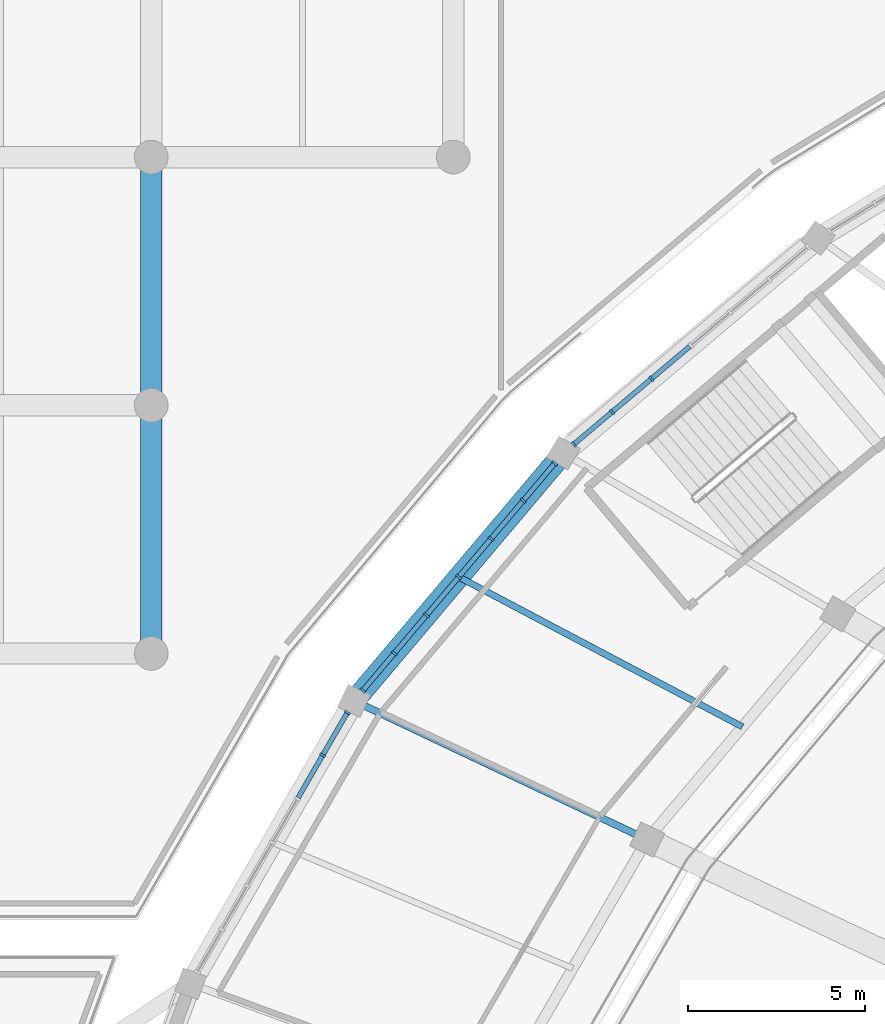
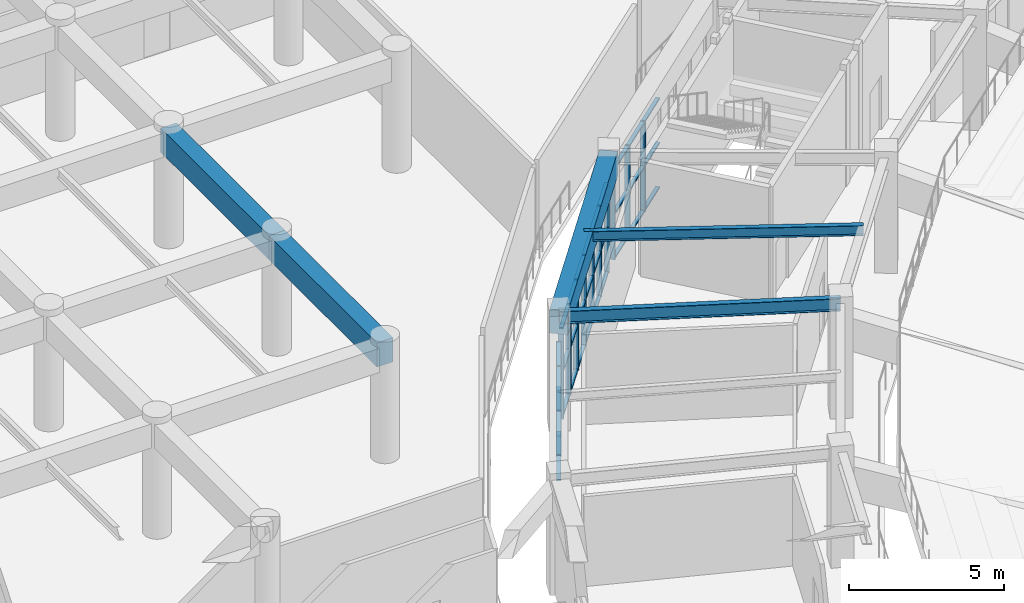
# One storey, part 52 of 137: 45 members, 5 beams, 3 elements without a shape of their own.
"""IFC4 building model written with IfcOpenShell, lengths in metres."""

from ifc_helpers import new_model, si_unit, direction, frame, origin, origin_2d, place, context, subcontext, project, spatial, rectangle, i_section, extrude, material, layer, layer_set, material_profile, profile_set, type_object, element, aggregate, save


model = new_model("IFC4")

# Units and contexts
model_context = context("Model", 3, precision=1e-05, world=origin(), true_north=direction((0.0, 1.0)))
body_context = subcontext(model_context, "Body", "Model", "MODEL_VIEW")
ifc_project = project(units=[si_unit("LENGTHUNIT", "METRE"), si_unit("AREAUNIT", "SQUARE_METRE"), si_unit("VOLUMEUNIT", "CUBIC_METRE"), si_unit("PLANEANGLEUNIT", "RADIAN"), si_unit("MASSUNIT", "GRAM", prefix="KILO")], contexts=[model_context])

# Site, building, storey
site_placement = place(None, origin())
site = spatial("IfcSite", under=ifc_project, at=site_placement, CompositionType="ELEMENT")
building_placement = place(site_placement, origin())
building = spatial("IfcBuilding", under=site, at=building_placement, Name="Mphavela Belvedere Stadium", CompositionType="ELEMENT")
storey_placement = place(building_placement, frame((0.0, 0.0, 19.199951171875)))
storey = spatial("IfcBuildingStorey", under=building, at=storey_placement, Name="L04", CompositionType="ELEMENT", Elevation=19.199951171875)

# Beams
ifc_material_1 = material(Name="Concrete C40/50", Category="concrete")
ifc_material_profile_1 = material_profile(ifc_material_1, rectangle(XDim=0.60009765625, YDim=0.949951171875, at=origin_2d()), Name="RC 600x950")
ifc_profile_set_1 = profile_set([ifc_material_profile_1], Name="Concrete C40/50")
beam_type_1 = type_object("IfcBeamType", Name="BM-ENTABLATURE-950", PredefinedType="SPANDREL", material=ifc_profile_set_1)
beam_1_placement = place(storey_placement, frame((28.66162109375, 137.653564453125, 4.074951171875), z_axis=(-0.645164552218, -0.764043650952, 0.0), x_axis=(0.764043650952, -0.645164552218, 0.0)))
element("IfcBeam", 1, at=beam_1_placement, inside=storey, type_object=beam_type_1, Name="Circumferential girder L04 R4-20", PredefinedType="SPANDREL", context=body_context, shape_type="SweptSolid", body=[
    extrude(rectangle(XDim=0.60009765625, YDim=0.949951171875, at=origin_2d()), origin(), (0.0, 0.0, 1.0), 9.151123046875),
])
for number, where, z_axis, x_axis, name in (
    (2, (17.037109375, 132.0, 4.06494140625), (0.0, 1.0, 0.0), (-1.0, 0.0, 0.0), "North Mast and Ceremonial End Forecourt entablature beam Y L04 3-2"),
    (3, (17.037109375, 139.0, 4.06494140625), (0.0, 1.0, 0.0), (-1.0, 0.0, 0.0), "North Mast and Ceremonial End Forecourt entablature beam Y L04 3-3"),
):
    element("IfcBeam", number, at=place(storey_placement, frame(where, z_axis=z_axis, x_axis=x_axis)), inside=storey, type_object=beam_type_1, Name=name, PredefinedType="SPANDREL", context=body_context, shape_type="SweptSolid", body=[
        extrude(rectangle(XDim=0.60009765625, YDim=0.949951171875, at=origin_2d()), origin(), (0.0, 0.0, 1.0), 7.0),
    ])
ifc_material_2 = material(Name="Steel S355", Category="steel")
ifc_material_profile_2 = material_profile(ifc_material_2, i_section(OverallWidth=0.179931640625, OverallDepth=0.39990234375, WebThickness=0.008544921875, FlangeThickness=0.013427734375, at=origin_2d()), Name="IPE 400")
ifc_profile_set_2 = profile_set([ifc_material_profile_2], Name="Steel S355")
beam_type_2 = type_object("IfcBeamType", Name="BM-JOIST-IPE400", PredefinedType="JOIST", material=ifc_profile_set_2)
beam_2_placement = place(storey_placement, frame((33.7119140625, 129.93115234375, 4.35009765625), z_axis=(-0.884250771824, 0.467012390123, 0.0), x_axis=(-0.467012390123, -0.884250771824, 0.0)))
element("IfcBeam", 4, at=beam_2_placement, inside=storey, type_object=beam_type_2, Name="Concourse floor joist L04-20", PredefinedType="JOIST", context=body_context, shape_type="SweptSolid", body=[
    extrude(i_section(OverallWidth=0.179931640625, OverallDepth=0.39990234375, WebThickness=0.008544921875, FlangeThickness=0.013427734375, at=origin_2d()), origin(), (0.0, 0.0, 1.0), 9.0498046875),
])
ifc_material_3 = material(Name="Steel S355", Category="steel")
ifc_material_profile_3 = material_profile(ifc_material_3, i_section(OverallWidth=0.199951171875, OverallDepth=0.5, WebThickness=0.01025390625, FlangeThickness=0.01611328125, at=origin_2d()), Name="IPE 500")
ifc_profile_set_3 = profile_set([ifc_material_profile_3], Name="Steel S355")
beam_type_3 = type_object("IfcBeamType", Name="BM-STEEL-IPE500", PredefinedType="BEAM", material=ifc_profile_set_3)
beam_3_placement = place(storey_placement, frame((31.0244140625, 126.748291015625, 4.300048828125), z_axis=(-0.903845427073, 0.427859140325, 0.0), x_axis=(-0.427859140325, -0.903845427073, 0.0)))
element("IfcBeam", 5, at=beam_3_placement, inside=storey, type_object=beam_type_3, Name="Radial concourse girder L04 R3R4-21", PredefinedType="BEAM", context=body_context, shape_type="SweptSolid", body=[
    extrude(i_section(OverallWidth=0.199951171875, OverallDepth=0.5, WebThickness=0.01025390625, FlangeThickness=0.01611328125, at=origin_2d()), origin(), (0.0, 0.0, 1.0), 9.146240234375),
])

# Curtain wall, members
ifc_material_4 = material(Name="Anodised bronze unitised curtain wall framing")
ifc_layer_1 = layer(ifc_material_4, 0.18505859375)
ifc_layer_set_1 = layer_set([ifc_layer_1], Name="Anodised bronze unitised curtain wall framing")
curtain_wall_type_1 = type_object("IfcCurtainWallType", Name="CW-UNIT-02", PredefinedType="USERDEFINED", material=ifc_layer_set_1)
curtain_wall_1_placement = place(storey_placement, origin())
curtain_wall_1 = element("IfcCurtainWall", 6, at=curtain_wall_1_placement, inside=storey, type_object=curtain_wall_type_1, Name="Belvedere colonnade curtain wall L04-19", ObjectType="UNITISED CURTAIN WALL", PredefinedType="USERDEFINED")
ifc_material_5 = material(Name="Anodised bronze extruded aluminium", Category="aluminium")
ifc_material_profile_4 = material_profile(ifc_material_5, rectangle(XDim=0.179931640625, YDim=0.06494140625, at=origin_2d()), Name="CW-MUL 180x65")
ifc_profile_set_4 = profile_set([ifc_material_profile_4], Name="Anodised bronze extruded aluminium")
member_type_1 = type_object("IfcMemberType", Name="CWM-180x65", PredefinedType="MULLION", material=ifc_profile_set_4)
member_1_placement = place(storey_placement, frame((31.14453125, 139.74853515625, 0.0), z_axis=(0.0, 0.0, 1.0), x_axis=(0.644916038089, -0.764253429051, 0.0)))
member_1 = element("IfcMember", 7, at=member_1_placement, type_object=member_type_1, Name="CW-02 mullion 5", PredefinedType="MULLION", context=body_context, shape_type="SweptSolid", body=[
    extrude(rectangle(XDim=0.179931640625, YDim=0.06494140625, at=origin_2d()), origin(), (0.0, 0.0, 1.0), 3.570068359375),
])
member_2_placement = place(storey_placement, frame((30.0361328125, 138.813232421875, 0.0), z_axis=(0.0, 0.0, 1.0), x_axis=(0.644916038089, -0.764253429051, 0.0)))
member_2 = element("IfcMember", 8, at=member_2_placement, type_object=member_type_1, Name="CW-02 mullion 6", PredefinedType="MULLION", context=body_context, shape_type="SweptSolid", body=[
    extrude(rectangle(XDim=0.179931640625, YDim=0.06494140625, at=origin_2d()), origin(), (0.0, 0.0, 1.0), 3.570068359375),
])
member_3_placement = place(storey_placement, frame((28.95263671875, 137.89892578125, 0.0), z_axis=(0.0, 0.0, 1.0), x_axis=(0.644916038089, -0.764253429051, 0.0)))
member_3 = element("IfcMember", 9, at=member_3_placement, type_object=member_type_1, Name="CW-02 mullion 7", PredefinedType="MULLION", context=body_context, shape_type="SweptSolid", body=[
    extrude(rectangle(XDim=0.179931640625, YDim=0.06494140625, at=origin_2d()), origin(), (0.0, 0.0, 1.0), 3.570068359375),
])

ifc_material_6 = material(Name="Anodised bronze unitised curtain wall framing")
ifc_layer_2 = layer(ifc_material_6, 0.18994140625)
ifc_layer_set_2 = layer_set([ifc_layer_2], Name="Anodised bronze unitised curtain wall framing")
curtain_wall_type_2 = type_object("IfcCurtainWallType", Name="CW-UNIT-03", PredefinedType="USERDEFINED", material=ifc_layer_set_2)
curtain_wall_2_placement = place(storey_placement, origin())
curtain_wall_2 = element("IfcCurtainWall", 10, at=curtain_wall_2_placement, inside=storey, type_object=curtain_wall_type_2, Name="Belvedere colonnade curtain wall L04-20", ObjectType="UNITISED CURTAIN WALL", PredefinedType="USERDEFINED")
member_4_placement = place(storey_placement, frame((28.416259765625, 137.36279296875, 0.0), z_axis=(0.0, 0.0, 1.0), x_axis=(0.764034579723, -0.645175294774, 0.0)))
member_4 = element("IfcMember", 11, at=member_4_placement, type_object=member_type_1, Name="CW-03 mullion 1", PredefinedType="MULLION", context=body_context, shape_type="SweptSolid", body=[
    extrude(rectangle(XDim=0.179931640625, YDim=0.06494140625, at=origin_2d()), origin(), (0.0, 0.0, 1.0), 3.570068359375),
])
member_5_placement = place(storey_placement, frame((27.528076171875, 136.310791015625, 0.0), z_axis=(0.0, 0.0, 1.0), x_axis=(0.764034579723, -0.645175294774, 0.0)))
member_5 = element("IfcMember", 12, at=member_5_placement, type_object=member_type_1, Name="CW-03 mullion 2", PredefinedType="MULLION", context=body_context, shape_type="SweptSolid", body=[
    extrude(rectangle(XDim=0.179931640625, YDim=0.06494140625, at=origin_2d()), origin(), (0.0, 0.0, 1.0), 3.570068359375),
])
member_6_placement = place(storey_placement, frame((26.618896484375, 135.234130859375, 0.0), z_axis=(0.0, 0.0, 1.0), x_axis=(0.764034579723, -0.645175294774, 0.0)))
member_6 = element("IfcMember", 13, at=member_6_placement, type_object=member_type_1, Name="CW-03 mullion 3", PredefinedType="MULLION", context=body_context, shape_type="SweptSolid", body=[
    extrude(rectangle(XDim=0.179931640625, YDim=0.06494140625, at=origin_2d()), origin(), (0.0, 0.0, 1.0), 3.570068359375),
])
member_7_placement = place(storey_placement, frame((25.709716796875, 134.157470703125, 0.0), z_axis=(0.0, 0.0, 1.0), x_axis=(0.764034579723, -0.645175294774, 0.0)))
member_7 = element("IfcMember", 14, at=member_7_placement, type_object=member_type_1, Name="CW-03 mullion 4", PredefinedType="MULLION", context=body_context, shape_type="SweptSolid", body=[
    extrude(rectangle(XDim=0.179931640625, YDim=0.06494140625, at=origin_2d()), origin(), (0.0, 0.0, 1.0), 3.570068359375),
])
member_8_placement = place(storey_placement, frame((24.80029296875, 133.080810546875, 0.0), z_axis=(0.0, 0.0, 1.0), x_axis=(0.764034579723, -0.645175294774, 0.0)))
member_8 = element("IfcMember", 15, at=member_8_placement, type_object=member_type_1, Name="CW-03 mullion 5", PredefinedType="MULLION", context=body_context, shape_type="SweptSolid", body=[
    extrude(rectangle(XDim=0.179931640625, YDim=0.06494140625, at=origin_2d()), origin(), (0.0, 0.0, 1.0), 3.570068359375),
])
member_9_placement = place(storey_placement, frame((23.89111328125, 132.004150390625, 0.0), z_axis=(0.0, 0.0, 1.0), x_axis=(0.764034579723, -0.645175294774, 0.0)))
member_9 = element("IfcMember", 16, at=member_9_placement, type_object=member_type_1, Name="CW-03 mullion 6", PredefinedType="MULLION", context=body_context, shape_type="SweptSolid", body=[
    extrude(rectangle(XDim=0.179931640625, YDim=0.06494140625, at=origin_2d()), origin(), (0.0, 0.0, 1.0), 3.570068359375),
])
member_10_placement = place(storey_placement, frame((23.0029296875, 130.9521484375, 0.0), z_axis=(0.0, 0.0, 1.0), x_axis=(0.764034579723, -0.645175294774, 0.0)))
member_10 = element("IfcMember", 17, at=member_10_placement, type_object=member_type_1, Name="CW-03 mullion 7", PredefinedType="MULLION", context=body_context, shape_type="SweptSolid", body=[
    extrude(rectangle(XDim=0.179931640625, YDim=0.06494140625, at=origin_2d()), origin(), (0.0, 0.0, 1.0), 3.570068359375),
])

ifc_material_7 = material(Name="Anodised bronze unitised curtain wall framing")
ifc_layer_3 = layer(ifc_material_7, 0.195068359375)
ifc_layer_set_3 = layer_set([ifc_layer_3], Name="Anodised bronze unitised curtain wall framing")
curtain_wall_type_3 = type_object("IfcCurtainWallType", Name="CW-UNIT-04", PredefinedType="USERDEFINED", material=ifc_layer_set_3)
curtain_wall_3_placement = place(storey_placement, origin())
curtain_wall_3 = element("IfcCurtainWall", 18, at=curtain_wall_3_placement, inside=storey, type_object=curtain_wall_type_3, Name="Belvedere colonnade curtain wall L04-21", ObjectType="UNITISED CURTAIN WALL", PredefinedType="USERDEFINED")
member_11_placement = place(storey_placement, frame((22.567138671875, 130.33203125, 0.0), z_axis=(0.0, 0.0, 1.0), x_axis=(0.865704159606, -0.500555998906, 0.0)))
member_11 = element("IfcMember", 19, at=member_11_placement, type_object=member_type_1, Name="CW-04 mullion 1", PredefinedType="MULLION", context=body_context, shape_type="SweptSolid", body=[
    extrude(rectangle(XDim=0.179931640625, YDim=0.06494140625, at=origin_2d()), origin(), (0.0, 0.0, 1.0), 3.570068359375),
])
member_12_placement = place(storey_placement, frame((21.872314453125, 129.130859375, 0.0), z_axis=(0.0, 0.0, 1.0), x_axis=(0.865704159606, -0.500555998906, 0.0)))
member_12 = element("IfcMember", 20, at=member_12_placement, type_object=member_type_1, Name="CW-04 mullion 2", PredefinedType="MULLION", context=body_context, shape_type="SweptSolid", body=[
    extrude(rectangle(XDim=0.179931640625, YDim=0.06494140625, at=origin_2d()), origin(), (0.0, 0.0, 1.0), 3.570068359375),
])

# Member
ifc_material_8 = material(Name="Anodised bronze extruded aluminium", Category="aluminium")
ifc_material_profile_5 = material_profile(ifc_material_8, rectangle(XDim=0.139892578125, YDim=0.06005859375, at=origin_2d()), Name="CW-TRN 140x60")
ifc_profile_set_5 = profile_set([ifc_material_profile_5], Name="Anodised bronze extruded aluminium")
member_type_2 = type_object("IfcMemberType", Name="CWT-140x60", PredefinedType="USERDEFINED", material=ifc_profile_set_5)
member_13_placement = place(storey_placement, frame((32.228271484375, 140.6630859375, 0.030029296875), z_axis=(-0.764234485314, -0.644938486569, 0.0), x_axis=(0.644938486569, -0.764234485314, 0.0)))
member_13 = element("IfcMember", 21, at=member_13_placement, type_object=member_type_2, Name="CW-02 transom 4.1", ObjectType="TRANSOM", PredefinedType="USERDEFINED", context=body_context, shape_type="SweptSolid", body=[
    extrude(rectangle(XDim=0.139892578125, YDim=0.06005859375, at=origin_2d()), origin(), (0.0, 0.0, 1.0), 1.385498046875),
])

member_14_placement = place(storey_placement, frame((32.228271484375, 140.6630859375, 1.78515625), z_axis=(-0.764234485314, -0.644938486569, 0.0), x_axis=(0.644938486569, -0.764234485314, 0.0)))
member_14 = element("IfcMember", 22, at=member_14_placement, type_object=member_type_2, Name="CW-02 transom 4.2", ObjectType="TRANSOM", PredefinedType="USERDEFINED", context=body_context, shape_type="SweptSolid", body=[
    extrude(rectangle(XDim=0.139892578125, YDim=0.06005859375, at=origin_2d()), origin(), (0.0, 0.0, 1.0), 1.385498046875),
])

member_15_placement = place(storey_placement, frame((32.228271484375, 140.6630859375, 3.5400390625), z_axis=(-0.764234485314, -0.644938486569, 0.0), x_axis=(0.644938486569, -0.764234485314, 0.0)))
member_15 = element("IfcMember", 23, at=member_15_placement, type_object=member_type_2, Name="CW-02 transom 4.3", ObjectType="TRANSOM", PredefinedType="USERDEFINED", context=body_context, shape_type="SweptSolid", body=[
    extrude(rectangle(XDim=0.139892578125, YDim=0.06005859375, at=origin_2d()), origin(), (0.0, 0.0, 1.0), 1.385498046875),
])

member_16_placement = place(storey_placement, frame((31.119873046875, 139.727783203125, 0.030029296875), z_axis=(-0.764234485314, -0.644938486569, 0.0), x_axis=(0.644938486569, -0.764234485314, 0.0)))
member_16 = element("IfcMember", 24, at=member_16_placement, type_object=member_type_2, Name="CW-02 transom 5.1", ObjectType="TRANSOM", PredefinedType="USERDEFINED", context=body_context, shape_type="SweptSolid", body=[
    extrude(rectangle(XDim=0.139892578125, YDim=0.06005859375, at=origin_2d()), origin(), (0.0, 0.0, 1.0), 1.385498046875),
])

member_17_placement = place(storey_placement, frame((31.119873046875, 139.727783203125, 1.78515625), z_axis=(-0.764234485314, -0.644938486569, 0.0), x_axis=(0.644938486569, -0.764234485314, 0.0)))
member_17 = element("IfcMember", 25, at=member_17_placement, type_object=member_type_2, Name="CW-02 transom 5.2", ObjectType="TRANSOM", PredefinedType="USERDEFINED", context=body_context, shape_type="SweptSolid", body=[
    extrude(rectangle(XDim=0.139892578125, YDim=0.06005859375, at=origin_2d()), origin(), (0.0, 0.0, 1.0), 1.385498046875),
])

member_18_placement = place(storey_placement, frame((31.119873046875, 139.727783203125, 3.5400390625), z_axis=(-0.764234485314, -0.644938486569, 0.0), x_axis=(0.644938486569, -0.764234485314, 0.0)))
member_18 = element("IfcMember", 26, at=member_18_placement, type_object=member_type_2, Name="CW-02 transom 5.3", ObjectType="TRANSOM", PredefinedType="USERDEFINED", context=body_context, shape_type="SweptSolid", body=[
    extrude(rectangle(XDim=0.139892578125, YDim=0.06005859375, at=origin_2d()), origin(), (0.0, 0.0, 1.0), 1.385498046875),
])

member_19_placement = place(storey_placement, frame((30.01123046875, 138.792236328125, 0.030029296875), z_axis=(-0.764316500448, -0.644841288336, 0.0), x_axis=(0.644841288336, -0.764316500448, 0.0)))
member_19 = element("IfcMember", 27, at=member_19_placement, type_object=member_type_2, Name="CW-02 transom 6.1", ObjectType="TRANSOM", PredefinedType="USERDEFINED", context=body_context, shape_type="SweptSolid", body=[
    extrude(rectangle(XDim=0.139892578125, YDim=0.06005859375, at=origin_2d()), origin(), (0.0, 0.0, 1.0), 1.352783203125),
])

member_20_placement = place(storey_placement, frame((30.01123046875, 138.792236328125, 1.78515625), z_axis=(-0.764316500448, -0.644841288336, 0.0), x_axis=(0.644841288336, -0.764316500448, 0.0)))
member_20 = element("IfcMember", 28, at=member_20_placement, type_object=member_type_2, Name="CW-02 transom 6.2", ObjectType="TRANSOM", PredefinedType="USERDEFINED", context=body_context, shape_type="SweptSolid", body=[
    extrude(rectangle(XDim=0.139892578125, YDim=0.06005859375, at=origin_2d()), origin(), (0.0, 0.0, 1.0), 1.352783203125),
])

member_21_placement = place(storey_placement, frame((30.01123046875, 138.792236328125, 3.5400390625), z_axis=(-0.764316500448, -0.644841288336, 0.0), x_axis=(0.644841288336, -0.764316500448, 0.0)))
member_21 = element("IfcMember", 29, at=member_21_placement, type_object=member_type_2, Name="CW-02 transom 6.3", ObjectType="TRANSOM", PredefinedType="USERDEFINED", context=body_context, shape_type="SweptSolid", body=[
    extrude(rectangle(XDim=0.139892578125, YDim=0.06005859375, at=origin_2d()), origin(), (0.0, 0.0, 1.0), 1.352783203125),
])

aggregate(curtain_wall_1, [member_1, member_2, member_3, member_13, member_14, member_15, member_16, member_17, member_18, member_19, member_20, member_21])

member_22_placement = place(storey_placement, frame((28.395263671875, 137.337890625, 0.030029296875), z_axis=(-0.645132526384, -0.764070692673, 0.0), x_axis=(0.764070692673, -0.645132526384, 0.0)))
member_22 = element("IfcMember", 30, at=member_22_placement, type_object=member_type_2, Name="CW-03 transom 1.1", ObjectType="TRANSOM", PredefinedType="USERDEFINED", context=body_context, shape_type="SweptSolid", body=[
    extrude(rectangle(XDim=0.139892578125, YDim=0.06005859375, at=origin_2d()), origin(), (0.0, 0.0, 1.0), 1.311767578125),
])

member_23_placement = place(storey_placement, frame((28.395263671875, 137.337890625, 1.78515625), z_axis=(-0.645132526384, -0.764070692673, 0.0), x_axis=(0.764070692673, -0.645132526384, 0.0)))
member_23 = element("IfcMember", 31, at=member_23_placement, type_object=member_type_2, Name="CW-03 transom 1.2", ObjectType="TRANSOM", PredefinedType="USERDEFINED", context=body_context, shape_type="SweptSolid", body=[
    extrude(rectangle(XDim=0.139892578125, YDim=0.06005859375, at=origin_2d()), origin(), (0.0, 0.0, 1.0), 1.311767578125),
])

member_24_placement = place(storey_placement, frame((28.395263671875, 137.337890625, 3.5400390625), z_axis=(-0.645132526384, -0.764070692673, 0.0), x_axis=(0.764070692673, -0.645132526384, 0.0)))
member_24 = element("IfcMember", 32, at=member_24_placement, type_object=member_type_2, Name="CW-03 transom 1.3", ObjectType="TRANSOM", PredefinedType="USERDEFINED", context=body_context, shape_type="SweptSolid", body=[
    extrude(rectangle(XDim=0.139892578125, YDim=0.06005859375, at=origin_2d()), origin(), (0.0, 0.0, 1.0), 1.311767578125),
])

member_25_placement = place(storey_placement, frame((27.507080078125, 136.2861328125, 0.030029296875), z_axis=(-0.645225575493, -0.763992118238, 0.0), x_axis=(0.763992118238, -0.645225575493, 0.0)))
member_25 = element("IfcMember", 33, at=member_25_placement, type_object=member_type_2, Name="CW-03 transom 2.1", ObjectType="TRANSOM", PredefinedType="USERDEFINED", context=body_context, shape_type="SweptSolid", body=[
    extrude(rectangle(XDim=0.139892578125, YDim=0.06005859375, at=origin_2d()), origin(), (0.0, 0.0, 1.0), 1.344482421875),
])

member_26_placement = place(storey_placement, frame((27.507080078125, 136.2861328125, 1.78515625), z_axis=(-0.645225575493, -0.763992118238, 0.0), x_axis=(0.763992118238, -0.645225575493, 0.0)))
member_26 = element("IfcMember", 34, at=member_26_placement, type_object=member_type_2, Name="CW-03 transom 2.2", ObjectType="TRANSOM", PredefinedType="USERDEFINED", context=body_context, shape_type="SweptSolid", body=[
    extrude(rectangle(XDim=0.139892578125, YDim=0.06005859375, at=origin_2d()), origin(), (0.0, 0.0, 1.0), 1.344482421875),
])

member_27_placement = place(storey_placement, frame((27.507080078125, 136.2861328125, 3.5400390625), z_axis=(-0.645225575493, -0.763992118238, 0.0), x_axis=(0.763992118238, -0.645225575493, 0.0)))
member_27 = element("IfcMember", 35, at=member_27_placement, type_object=member_type_2, Name="CW-03 transom 2.3", ObjectType="TRANSOM", PredefinedType="USERDEFINED", context=body_context, shape_type="SweptSolid", body=[
    extrude(rectangle(XDim=0.139892578125, YDim=0.06005859375, at=origin_2d()), origin(), (0.0, 0.0, 1.0), 1.344482421875),
])

member_28_placement = place(storey_placement, frame((26.597900390625, 135.20947265625, 0.030029296875), z_axis=(-0.645225575493, -0.763992118238, 0.0), x_axis=(0.763992118238, -0.645225575493, 0.0)))
member_28 = element("IfcMember", 36, at=member_28_placement, type_object=member_type_2, Name="CW-03 transom 3.1", ObjectType="TRANSOM", PredefinedType="USERDEFINED", context=body_context, shape_type="SweptSolid", body=[
    extrude(rectangle(XDim=0.139892578125, YDim=0.06005859375, at=origin_2d()), origin(), (0.0, 0.0, 1.0), 1.344482421875),
])

member_29_placement = place(storey_placement, frame((26.597900390625, 135.20947265625, 1.78515625), z_axis=(-0.645225575493, -0.763992118238, 0.0), x_axis=(0.763992118238, -0.645225575493, 0.0)))
member_29 = element("IfcMember", 37, at=member_29_placement, type_object=member_type_2, Name="CW-03 transom 3.2", ObjectType="TRANSOM", PredefinedType="USERDEFINED", context=body_context, shape_type="SweptSolid", body=[
    extrude(rectangle(XDim=0.139892578125, YDim=0.06005859375, at=origin_2d()), origin(), (0.0, 0.0, 1.0), 1.344482421875),
])

member_30_placement = place(storey_placement, frame((26.597900390625, 135.20947265625, 3.5400390625), z_axis=(-0.645225575493, -0.763992118238, 0.0), x_axis=(0.763992118238, -0.645225575493, 0.0)))
member_30 = element("IfcMember", 38, at=member_30_placement, type_object=member_type_2, Name="CW-03 transom 3.3", ObjectType="TRANSOM", PredefinedType="USERDEFINED", context=body_context, shape_type="SweptSolid", body=[
    extrude(rectangle(XDim=0.139892578125, YDim=0.06005859375, at=origin_2d()), origin(), (0.0, 0.0, 1.0), 1.344482421875),
])

member_31_placement = place(storey_placement, frame((25.688720703125, 134.132568359375, 0.030029296875), z_axis=(-0.645315102813, -0.763916499417, 0.0), x_axis=(0.763916499417, -0.645315102813, 0.0)))
member_31 = element("IfcMember", 39, at=member_31_placement, type_object=member_type_2, Name="CW-03 transom 4.1", ObjectType="TRANSOM", PredefinedType="USERDEFINED", context=body_context, shape_type="SweptSolid", body=[
    extrude(rectangle(XDim=0.139892578125, YDim=0.06005859375, at=origin_2d()), origin(), (0.0, 0.0, 1.0), 1.34423828125),
])

member_32_placement = place(storey_placement, frame((25.688720703125, 134.132568359375, 1.78515625), z_axis=(-0.645315102813, -0.763916499417, 0.0), x_axis=(0.763916499417, -0.645315102813, 0.0)))
member_32 = element("IfcMember", 40, at=member_32_placement, type_object=member_type_2, Name="CW-03 transom 4.2", ObjectType="TRANSOM", PredefinedType="USERDEFINED", context=body_context, shape_type="SweptSolid", body=[
    extrude(rectangle(XDim=0.139892578125, YDim=0.06005859375, at=origin_2d()), origin(), (0.0, 0.0, 1.0), 1.34423828125),
])

member_33_placement = place(storey_placement, frame((25.688720703125, 134.132568359375, 3.5400390625), z_axis=(-0.645315102813, -0.763916499417, 0.0), x_axis=(0.763916499417, -0.645315102813, 0.0)))
member_33 = element("IfcMember", 41, at=member_33_placement, type_object=member_type_2, Name="CW-03 transom 4.3", ObjectType="TRANSOM", PredefinedType="USERDEFINED", context=body_context, shape_type="SweptSolid", body=[
    extrude(rectangle(XDim=0.139892578125, YDim=0.06005859375, at=origin_2d()), origin(), (0.0, 0.0, 1.0), 1.34423828125),
])

member_34_placement = place(storey_placement, frame((24.779541015625, 133.055908203125, 0.030029296875), z_axis=(-0.645315102813, -0.763916499417, 0.0), x_axis=(0.763916499417, -0.645315102813, 0.0)))
member_34 = element("IfcMember", 42, at=member_34_placement, type_object=member_type_2, Name="CW-03 transom 5.1", ObjectType="TRANSOM", PredefinedType="USERDEFINED", context=body_context, shape_type="SweptSolid", body=[
    extrude(rectangle(XDim=0.139892578125, YDim=0.06005859375, at=origin_2d()), origin(), (0.0, 0.0, 1.0), 1.34423828125),
])

member_35_placement = place(storey_placement, frame((24.779541015625, 133.055908203125, 1.78515625), z_axis=(-0.645315102813, -0.763916499417, 0.0), x_axis=(0.763916499417, -0.645315102813, 0.0)))
member_35 = element("IfcMember", 43, at=member_35_placement, type_object=member_type_2, Name="CW-03 transom 5.2", ObjectType="TRANSOM", PredefinedType="USERDEFINED", context=body_context, shape_type="SweptSolid", body=[
    extrude(rectangle(XDim=0.139892578125, YDim=0.06005859375, at=origin_2d()), origin(), (0.0, 0.0, 1.0), 1.34423828125),
])

member_36_placement = place(storey_placement, frame((24.779541015625, 133.055908203125, 3.5400390625), z_axis=(-0.645315102813, -0.763916499417, 0.0), x_axis=(0.763916499417, -0.645315102813, 0.0)))
member_36 = element("IfcMember", 44, at=member_36_placement, type_object=member_type_2, Name="CW-03 transom 5.3", ObjectType="TRANSOM", PredefinedType="USERDEFINED", context=body_context, shape_type="SweptSolid", body=[
    extrude(rectangle(XDim=0.139892578125, YDim=0.06005859375, at=origin_2d()), origin(), (0.0, 0.0, 1.0), 1.34423828125),
])

member_37_placement = place(storey_placement, frame((23.8701171875, 131.979248046875, 0.030029296875), z_axis=(-0.645132526384, -0.764070692673, 0.0), x_axis=(0.764070692673, -0.645132526384, 0.0)))
member_37 = element("IfcMember", 45, at=member_37_placement, type_object=member_type_2, Name="CW-03 transom 6.1", ObjectType="TRANSOM", PredefinedType="USERDEFINED", context=body_context, shape_type="SweptSolid", body=[
    extrude(rectangle(XDim=0.139892578125, YDim=0.06005859375, at=origin_2d()), origin(), (0.0, 0.0, 1.0), 1.311767578125),
])

member_38_placement = place(storey_placement, frame((23.8701171875, 131.979248046875, 1.78515625), z_axis=(-0.645132526384, -0.764070692673, 0.0), x_axis=(0.764070692673, -0.645132526384, 0.0)))
member_38 = element("IfcMember", 46, at=member_38_placement, type_object=member_type_2, Name="CW-03 transom 6.2", ObjectType="TRANSOM", PredefinedType="USERDEFINED", context=body_context, shape_type="SweptSolid", body=[
    extrude(rectangle(XDim=0.139892578125, YDim=0.06005859375, at=origin_2d()), origin(), (0.0, 0.0, 1.0), 1.311767578125),
])

member_39_placement = place(storey_placement, frame((23.8701171875, 131.979248046875, 3.5400390625), z_axis=(-0.645132526384, -0.764070692673, 0.0), x_axis=(0.764070692673, -0.645132526384, 0.0)))
member_39 = element("IfcMember", 47, at=member_39_placement, type_object=member_type_2, Name="CW-03 transom 6.3", ObjectType="TRANSOM", PredefinedType="USERDEFINED", context=body_context, shape_type="SweptSolid", body=[
    extrude(rectangle(XDim=0.139892578125, YDim=0.06005859375, at=origin_2d()), origin(), (0.0, 0.0, 1.0), 1.311767578125),
])

aggregate(curtain_wall_2, [member_4, member_5, member_6, member_7, member_8, member_9, member_10, member_22, member_23, member_24, member_25, member_26, member_27, member_28, member_29, member_30, member_31, member_32, member_33, member_34, member_35, member_36, member_37, member_38, member_39])

member_40_placement = place(storey_placement, frame((22.55078125, 130.303955078125, 0.030029296875), z_axis=(-0.500585088296, -0.865687339272, 0.0), x_axis=(0.865687339272, -0.500585088296, 0.0)))
member_40 = element("IfcMember", 48, at=member_40_placement, type_object=member_type_2, Name="CW-04 transom 1.1", ObjectType="TRANSOM", PredefinedType="USERDEFINED", context=body_context, shape_type="SweptSolid", body=[
    extrude(rectangle(XDim=0.139892578125, YDim=0.06005859375, at=origin_2d()), origin(), (0.0, 0.0, 1.0), 1.32275390625),
])

member_41_placement = place(storey_placement, frame((22.55078125, 130.303955078125, 1.78515625), z_axis=(-0.500585088296, -0.865687339272, 0.0), x_axis=(0.865687339272, -0.500585088296, 0.0)))
member_41 = element("IfcMember", 49, at=member_41_placement, type_object=member_type_2, Name="CW-04 transom 1.2", ObjectType="TRANSOM", PredefinedType="USERDEFINED", context=body_context, shape_type="SweptSolid", body=[
    extrude(rectangle(XDim=0.139892578125, YDim=0.06005859375, at=origin_2d()), origin(), (0.0, 0.0, 1.0), 1.32275390625),
])

member_42_placement = place(storey_placement, frame((22.55078125, 130.303955078125, 3.5400390625), z_axis=(-0.500585088296, -0.865687339272, 0.0), x_axis=(0.865687339272, -0.500585088296, 0.0)))
member_42 = element("IfcMember", 50, at=member_42_placement, type_object=member_type_2, Name="CW-04 transom 1.3", ObjectType="TRANSOM", PredefinedType="USERDEFINED", context=body_context, shape_type="SweptSolid", body=[
    extrude(rectangle(XDim=0.139892578125, YDim=0.06005859375, at=origin_2d()), origin(), (0.0, 0.0, 1.0), 1.32275390625),
])

member_43_placement = place(storey_placement, frame((21.856201171875, 129.1025390625, 0.030029296875), z_axis=(-0.500652736362, -0.865648218143, 0.0), x_axis=(0.865648218143, -0.500652736362, 0.0)))
member_43 = element("IfcMember", 51, at=member_43_placement, type_object=member_type_2, Name="CW-04 transom 2.1", ObjectType="TRANSOM", PredefinedType="USERDEFINED", context=body_context, shape_type="SweptSolid", body=[
    extrude(rectangle(XDim=0.139892578125, YDim=0.06005859375, at=origin_2d()), origin(), (0.0, 0.0, 1.0), 1.355224609375),
])

member_44_placement = place(storey_placement, frame((21.856201171875, 129.1025390625, 1.78515625), z_axis=(-0.500652736362, -0.865648218143, 0.0), x_axis=(0.865648218143, -0.500652736362, 0.0)))
member_44 = element("IfcMember", 52, at=member_44_placement, type_object=member_type_2, Name="CW-04 transom 2.2", ObjectType="TRANSOM", PredefinedType="USERDEFINED", context=body_context, shape_type="SweptSolid", body=[
    extrude(rectangle(XDim=0.139892578125, YDim=0.06005859375, at=origin_2d()), origin(), (0.0, 0.0, 1.0), 1.355224609375),
])

member_45_placement = place(storey_placement, frame((21.856201171875, 129.1025390625, 3.5400390625), z_axis=(-0.500652736362, -0.865648218143, 0.0), x_axis=(0.865648218143, -0.500652736362, 0.0)))
member_45 = element("IfcMember", 53, at=member_45_placement, type_object=member_type_2, Name="CW-04 transom 2.3", ObjectType="TRANSOM", PredefinedType="USERDEFINED", context=body_context, shape_type="SweptSolid", body=[
    extrude(rectangle(XDim=0.139892578125, YDim=0.06005859375, at=origin_2d()), origin(), (0.0, 0.0, 1.0), 1.355224609375),
])

aggregate(curtain_wall_3, [member_11, member_12, member_40, member_41, member_42, member_43, member_44, member_45])

save(model, "model.ifc")
